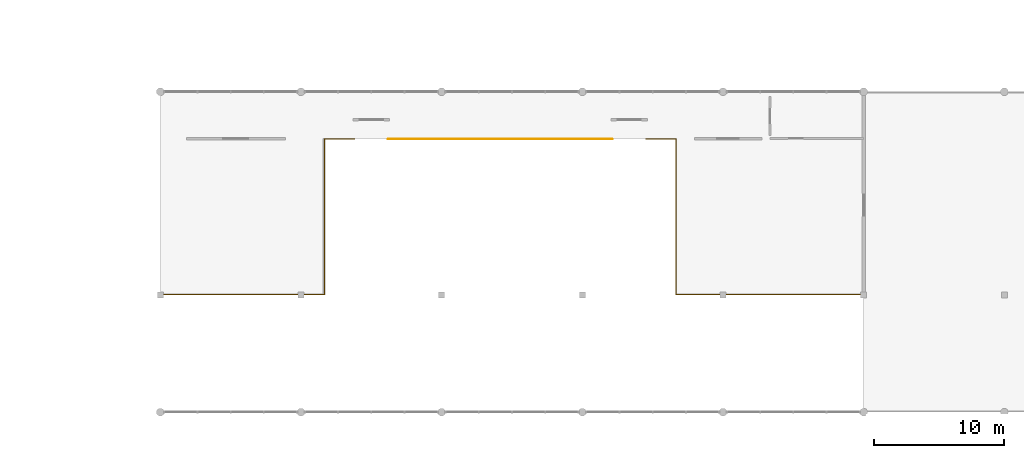
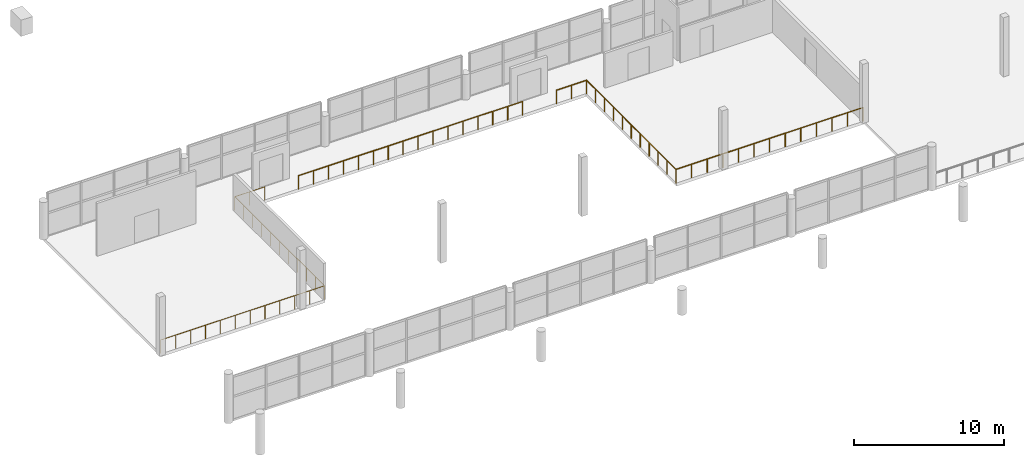
# One storey, part 61 of 74: 3 railings.
"""IFC4 building model written with IfcOpenShell, lengths in metres."""

import ifcopenshell
import ifcopenshell.guid

model = None  # the IFC model being written
_history = None  # IfcOwnerHistory: only IFC2X3 demands one
_inside = {}  # id of a spatial element -> (the spatial element, [elements in it])
_under = {}  # id of a project, library or spatial element -> (it, [spatial elements below it])
_declared = {}  # id of a project -> (the project, [libraries it declares])
_typed = {}  # id of a type object -> (the type object, [elements of that type])
_made_of = {}  # id of a material, layer set ... -> (it, [elements and type objects made of it])


def new_model(schema):
    """Start an empty IFC model of exactly this schema.

    Asked for "IFC4X3", IfcOpenShell would pick the latest addendum, in which some entities
    have other attributes; the version numbers below select the first issue.
    IFC2X3 requires an IfcOwnerHistory on every rooted entity: one is made here for all.
    """
    global model, _history
    if schema == "IFC4X3":
        model = ifcopenshell.file(schema_version=(4, 3, 0, 0))
    else:
        model = ifcopenshell.file(schema=schema)
    _inside.clear()
    _under.clear()
    _declared.clear()
    _typed.clear()
    _made_of.clear()
    _history = None
    if model.schema == "IFC2X3":
        org = make("IfcOrganization", Name="unknown")
        user = make(
            "IfcPersonAndOrganization",
            ThePerson=make("IfcPerson", FamilyName="unknown"),
            TheOrganization=org,
        )
        app = make(
            "IfcApplication",
            ApplicationDeveloper=org,
            Version="unknown",
            ApplicationFullName="unknown",
            ApplicationIdentifier="unknown",
        )
        _history = make(
            "IfcOwnerHistory",
            OwningUser=user,
            OwningApplication=app,
            ChangeAction="ADDED",
            CreationDate=0,
        )
    return model


def make(cls, **values):
    """One entity of the class cls with the attributes given. An attribute that is None is left unset."""
    return model.create_entity(
        cls, **{name: value for name, value in values.items() if value is not None}
    )


def rooted(cls, **values):
    """An entity with a GlobalId (a new one), such as an element, a storey or a relation."""
    return make(cls, GlobalId=ifcopenshell.guid.new(), OwnerHistory=_history, **values)


def si_unit(unit_type, name, prefix=None):
    """IfcSIUnit, for example si_unit("LENGTHUNIT", "METRE", prefix="MILLI")."""
    return make("IfcSIUnit", UnitType=unit_type, Prefix=prefix, Name=name)


def assignment(units):
    """IfcUnitAssignment: the units of a project."""
    return None if units is None else make("IfcUnitAssignment", Units=units)


def point(xyz):
    """IfcCartesianPoint."""
    return None if xyz is None else make("IfcCartesianPoint", Coordinates=xyz)


def direction(xyz):
    """IfcDirection."""
    return None if xyz is None else make("IfcDirection", DirectionRatios=xyz)


def frame(location, z_axis=None, x_axis=None):
    """IfcAxis2Placement3D, a coordinate frame: its origin and axes. An axis left out is left unset."""
    return make(
        "IfcAxis2Placement3D",
        Location=point(location),
        Axis=direction(z_axis),
        RefDirection=direction(x_axis),
    )


def frame_2d(location, x_axis=None):
    """IfcAxis2Placement2D, a coordinate frame in the plane: its origin and x axis."""
    return make(
        "IfcAxis2Placement2D", Location=point(location), RefDirection=direction(x_axis)
    )


def origin():
    """The frame at (0, 0, 0) with its axes left unset."""
    return frame((0.0, 0.0, 0.0))


def origin_2d():
    """The frame at (0, 0) in the plane with its x axis left unset."""
    return frame_2d((0.0, 0.0))


def place(relative_to, where):
    """IfcLocalPlacement: puts the frame where relative to a parent placement (None: the world)."""
    return make(
        "IfcLocalPlacement", PlacementRelTo=relative_to, RelativePlacement=where
    )


def context(
    kind, dimensions, precision=None, world=None, true_north=None, identifier=None
):
    """IfcGeometricRepresentationContext, for example the 3D "Model" context."""
    return make(
        "IfcGeometricRepresentationContext",
        ContextIdentifier=identifier,
        ContextType=kind,
        CoordinateSpaceDimension=dimensions,
        Precision=precision,
        WorldCoordinateSystem=world,
        TrueNorth=true_north,
    )


def subcontext(parent, identifier, kind, view, scale=None):
    """IfcGeometricRepresentationSubContext, for example "Body" below "Model"."""
    return make(
        "IfcGeometricRepresentationSubContext",
        ContextIdentifier=identifier,
        ContextType=kind,
        ParentContext=parent,
        TargetScale=scale,
        TargetView=view,
    )


def project(units=None, contexts=None):
    """IfcProject with its units and contexts."""
    return rooted(
        "IfcProject",
        Name="project",
        RepresentationContexts=contexts,
        UnitsInContext=assignment(units),
    )


def spatial(cls, under=None, at=None, **own):
    """A site, building, storey or space (cls), placed at a placement, below another one or the project."""
    s = rooted(cls, ObjectPlacement=at, **own)
    if under is not None:
        _under.setdefault(under.id(), (under, []))[1].append(s)
    return s


def profile(cls, at=None, kind="AREA", **sizes):
    """A parametric profile (cls). Its sizes go by their IFC names, for example OverallWidth=200.0."""
    return make(cls, ProfileType=kind, Position=at, **sizes)


def circle(**sizes):
    """IfcCircleProfileDef."""
    return profile("IfcCircleProfileDef", **sizes)


def extrude(swept, where, along, depth):
    """IfcExtrudedAreaSolid: the profile swept, set in the frame where, extruded along a direction by depth."""
    return make(
        "IfcExtrudedAreaSolid",
        SweptArea=swept,
        Position=where,
        ExtrudedDirection=direction(along),
        Depth=depth,
    )


def shape(context_of_items, identifier, shape_type, items):
    """IfcShapeRepresentation: the items that make up one representation, for example the "Body"."""
    return make(
        "IfcShapeRepresentation",
        ContextOfItems=context_of_items,
        RepresentationIdentifier=identifier,
        RepresentationType=shape_type,
        Items=items,
    )


def material(Name=None, Category=None):
    """IfcMaterial."""
    return make("IfcMaterial", Name=Name, Category=Category)


def made_of(thing, what):
    """Note that an element or type object is made of a material, layer set ...; save() writes the relation."""
    if what is not None:
        _made_of.setdefault(what.id(), (what, []))[1].append(thing)
    return thing


def type_object(cls, material=None, **own):
    """A type object (cls), such as IfcWallType, which elements share."""
    return made_of(rooted(cls, **own), material)


def element(
    cls,
    number,
    at=None,
    inside=None,
    cuts=None,
    type_object=None,
    material=None,
    context=None,
    identifier="Body",
    shape_type=None,
    held_by="IfcProductDefinitionShape",
    body=None,
    shapes=None,
    **own,
):
    """One element of the class cls, such as IfcWall. Its Tag is "e" and its number.

    at: its placement. inside: the storey or other place that contains it. cuts: it is an
    opening in that element (IfcRelVoidsElement). A single representation is given by context,
    identifier, shape_type and body (its items); several are given by shapes. held_by: the class
    of the entity that holds the representations. save() writes the other relations.
    """
    e = rooted(cls, Tag="e%d" % number, ObjectPlacement=at, **own)
    if body is not None:
        shapes = [shape(context, identifier, shape_type, body)]
    if shapes is not None:
        e.Representation = make(held_by, Representations=shapes)
    if inside is not None:
        _inside.setdefault(inside.id(), (inside, []))[1].append(e)
    if cuts is not None:
        rooted(
            "IfcRelVoidsElement", RelatingBuildingElement=cuts, RelatedOpeningElement=e
        )
    if type_object is not None:
        _typed.setdefault(type_object.id(), (type_object, []))[1].append(e)
    return made_of(e, material)


def aggregate(whole, parts):
    """IfcRelAggregates: a whole, such as a stair, and the parts it consists of."""
    return rooted("IfcRelAggregates", RelatingObject=whole, RelatedObjects=parts)


def save(model, path):
    """Write the relations noted so far, then the file.

    IfcRelAggregates (storeys below a building ...), IfcRelContainedInSpatialStructure (elements
    in a storey), IfcRelDefinesByType, IfcRelAssociatesMaterial and IfcRelDeclares: one each for
    every whole, place, type object, material and project.
    """
    for whole, parts in _under.values():
        aggregate(whole, parts)
    for where, things in _inside.values():
        rooted(
            "IfcRelContainedInSpatialStructure",
            RelatedElements=things,
            RelatingStructure=where,
        )
    for kind, things in _typed.values():
        rooted("IfcRelDefinesByType", RelatedObjects=things, RelatingType=kind)
    for what, things in _made_of.values():
        rooted("IfcRelAssociatesMaterial", RelatedObjects=things, RelatingMaterial=what)
    for by, libraries in _declared.values():
        rooted("IfcRelDeclares", RelatingContext=by, RelatedDefinitions=libraries)
    model.write(path)


model = new_model("IFC4")

# Units and contexts
model_context = context("Model", 3, precision=1e-05, world=origin(), true_north=direction((0.0, 1.0)))
body_context = subcontext(model_context, "Body", "Model", "MODEL_VIEW")
ifc_project = project(units=[si_unit("LENGTHUNIT", "METRE"), si_unit("AREAUNIT", "SQUARE_METRE"), si_unit("VOLUMEUNIT", "CUBIC_METRE"), si_unit("PLANEANGLEUNIT", "RADIAN"), si_unit("MASSUNIT", "GRAM", prefix="KILO")], contexts=[model_context])

# Site, building, storey
site_placement = place(None, origin())
site = spatial("IfcSite", under=ifc_project, at=site_placement, CompositionType="ELEMENT")
building_placement = place(site_placement, origin())
building = spatial("IfcBuilding", under=site, at=building_placement, Name="Suirenkawa Promenade Aquatics Centre", CompositionType="ELEMENT")
storey_placement = place(building_placement, frame((0.0, 0.0, 4.800048828125)))
storey = spatial("IfcBuildingStorey", under=building, at=storey_placement, Name="L01", CompositionType="ELEMENT", Elevation=4.800048828125)

# Railings
ifc_material = material(Name="Marine-grade stainless steel Grade 316L", Category="steel")
railing_type = type_object("IfcRailingType", Name="RLT-BALUSTRADE-1120", PredefinedType="BALUSTRADE", material=ifc_material)
railing_1_placement = place(storey_placement, frame((79.239990234375, 13.239990234375, 0.0)))
element("IfcRailing", 1, at=railing_1_placement, inside=storey, type_object=railing_type, Name="Balustrade BAL-01 RL-0437", PredefinedType="BALUSTRADE", context=body_context, shape_type="SweptSolid", body=[
    extrude(circle(Radius=0.02392578125, at=origin_2d()), frame((0.0, 0.0, 1.09619140625), z_axis=(1.0, 0.0, 0.0), x_axis=(0.0, 1.0, 0.0)), (0.0, 0.0, 1.0), 12.56005859375),
    extrude(circle(Radius=0.02392578125, at=origin_2d()), frame((12.56005859375, 0.0, 1.09619140625), z_axis=(0.0, 1.0, 0.0), x_axis=(-1.0, 0.0, 0.0)), (0.0, 0.0, 1.0), 11.919921875),
    extrude(circle(Radius=0.02392578125, at=origin_2d()), frame((12.56005859375, 11.919921875, 1.09619140625), z_axis=(1.0, 0.0, 0.0), x_axis=(0.0, 1.0, 0.0)), (0.0, 0.0, 1.0), 2.300048828125),
    extrude(circle(Radius=0.02099609375, at=origin_2d()), origin(), (0.0, 0.0, 1.0), 1.072021484375),
    extrude(circle(Radius=0.02099609375, at=origin_2d()), frame((1.141845703125, 0.0, 0.0)), (0.0, 0.0, 1.0), 1.072021484375),
    extrude(circle(Radius=0.02099609375, at=origin_2d()), frame((2.28369140625, 0.0, 0.0)), (0.0, 0.0, 1.0), 1.072021484375),
    extrude(circle(Radius=0.02099609375, at=origin_2d()), frame((3.425537109375, 0.0, 0.0)), (0.0, 0.0, 1.0), 1.072021484375),
    extrude(circle(Radius=0.02099609375, at=origin_2d()), frame((4.5673828125, 0.0, 0.0)), (0.0, 0.0, 1.0), 1.072021484375),
    extrude(circle(Radius=0.02099609375, at=origin_2d()), frame((5.709228515625, 0.0, 0.0)), (0.0, 0.0, 1.0), 1.072021484375),
    extrude(circle(Radius=0.02099609375, at=origin_2d()), frame((6.850830078125, 0.0, 0.0)), (0.0, 0.0, 1.0), 1.072021484375),
    extrude(circle(Radius=0.02099609375, at=origin_2d()), frame((7.99267578125, 0.0, 0.0)), (0.0, 0.0, 1.0), 1.072021484375),
    extrude(circle(Radius=0.02099609375, at=origin_2d()), frame((9.134521484375, 0.0, 0.0)), (0.0, 0.0, 1.0), 1.072021484375),
    extrude(circle(Radius=0.02099609375, at=origin_2d()), frame((10.2763671875, 0.0, 0.0)), (0.0, 0.0, 1.0), 1.072021484375),
    extrude(circle(Radius=0.02099609375, at=origin_2d()), frame((11.418212890625, 0.0, 0.0)), (0.0, 0.0, 1.0), 1.072021484375),
    extrude(circle(Radius=0.02099609375, at=origin_2d()), frame((12.56005859375, 0.0, 0.0)), (0.0, 0.0, 1.0), 1.072021484375),
    extrude(circle(Radius=0.02099609375, at=origin_2d()), frame((12.56005859375, 1.19189453125, 0.0)), (0.0, 0.0, 1.0), 1.072021484375),
    extrude(circle(Radius=0.02099609375, at=origin_2d()), frame((12.56005859375, 2.384033203125, 0.0)), (0.0, 0.0, 1.0), 1.072021484375),
    extrude(circle(Radius=0.02099609375, at=origin_2d()), frame((12.56005859375, 3.575927734375, 0.0)), (0.0, 0.0, 1.0), 1.072021484375),
    extrude(circle(Radius=0.02099609375, at=origin_2d()), frame((12.56005859375, 4.76806640625, 0.0)), (0.0, 0.0, 1.0), 1.072021484375),
    extrude(circle(Radius=0.02099609375, at=origin_2d()), frame((12.56005859375, 5.9599609375, 0.0)), (0.0, 0.0, 1.0), 1.072021484375),
    extrude(circle(Radius=0.02099609375, at=origin_2d()), frame((12.56005859375, 7.15185546875, 0.0)), (0.0, 0.0, 1.0), 1.072021484375),
    extrude(circle(Radius=0.02099609375, at=origin_2d()), frame((12.56005859375, 8.343994140625, 0.0)), (0.0, 0.0, 1.0), 1.072021484375),
    extrude(circle(Radius=0.02099609375, at=origin_2d()), frame((12.56005859375, 9.535888671875, 0.0)), (0.0, 0.0, 1.0), 1.072021484375),
    extrude(circle(Radius=0.02099609375, at=origin_2d()), frame((12.56005859375, 10.72802734375, 0.0)), (0.0, 0.0, 1.0), 1.072021484375),
    extrude(circle(Radius=0.02099609375, at=origin_2d()), frame((12.56005859375, 11.919921875, 0.0)), (0.0, 0.0, 1.0), 1.072021484375),
    extrude(circle(Radius=0.02099609375, at=origin_2d()), frame((13.7099609375, 11.919921875, 0.0)), (0.0, 0.0, 1.0), 1.072021484375),
    extrude(circle(Radius=0.02099609375, at=origin_2d()), frame((14.860107421875, 11.919921875, 0.0)), (0.0, 0.0, 1.0), 1.072021484375),
])
railing_2_placement = place(storey_placement, frame((96.699951171875, 25.159912109375, 0.0)))
element("IfcRailing", 2, at=railing_2_placement, inside=storey, type_object=railing_type, Name="Balustrade BAL-01 RL-0438", PredefinedType="BALUSTRADE", context=body_context, shape_type="SweptSolid", body=[
    extrude(circle(Radius=0.02392578125, at=origin_2d()), frame((0.0, 0.0, 1.09619140625), z_axis=(1.0, 0.0, 0.0), x_axis=(0.0, 1.0, 0.0)), (0.0, 0.0, 1.0), 17.199951171875),
    extrude(circle(Radius=0.02099609375, at=origin_2d()), origin(), (0.0, 0.0, 1.0), 1.072021484375),
    extrude(circle(Radius=0.02099609375, at=origin_2d()), frame((1.146728515625, 0.0, 0.0)), (0.0, 0.0, 1.0), 1.072021484375),
    extrude(circle(Radius=0.02099609375, at=origin_2d()), frame((2.293212890625, 0.0, 0.0)), (0.0, 0.0, 1.0), 1.072021484375),
    extrude(circle(Radius=0.02099609375, at=origin_2d()), frame((3.43994140625, 0.0, 0.0)), (0.0, 0.0, 1.0), 1.072021484375),
    extrude(circle(Radius=0.02099609375, at=origin_2d()), frame((4.586669921875, 0.0, 0.0)), (0.0, 0.0, 1.0), 1.072021484375),
    extrude(circle(Radius=0.02099609375, at=origin_2d()), frame((5.7333984375, 0.0, 0.0)), (0.0, 0.0, 1.0), 1.072021484375),
    extrude(circle(Radius=0.02099609375, at=origin_2d()), frame((6.8798828125, 0.0, 0.0)), (0.0, 0.0, 1.0), 1.072021484375),
    extrude(circle(Radius=0.02099609375, at=origin_2d()), frame((8.026611328125, 0.0, 0.0)), (0.0, 0.0, 1.0), 1.072021484375),
    extrude(circle(Radius=0.02099609375, at=origin_2d()), frame((9.17333984375, 0.0, 0.0)), (0.0, 0.0, 1.0), 1.072021484375),
    extrude(circle(Radius=0.02099609375, at=origin_2d()), frame((10.320068359375, 0.0, 0.0)), (0.0, 0.0, 1.0), 1.072021484375),
    extrude(circle(Radius=0.02099609375, at=origin_2d()), frame((11.466552734375, 0.0, 0.0)), (0.0, 0.0, 1.0), 1.072021484375),
    extrude(circle(Radius=0.02099609375, at=origin_2d()), frame((12.61328125, 0.0, 0.0)), (0.0, 0.0, 1.0), 1.072021484375),
    extrude(circle(Radius=0.02099609375, at=origin_2d()), frame((13.760009765625, 0.0, 0.0)), (0.0, 0.0, 1.0), 1.072021484375),
    extrude(circle(Radius=0.02099609375, at=origin_2d()), frame((14.90673828125, 0.0, 0.0)), (0.0, 0.0, 1.0), 1.072021484375),
    extrude(circle(Radius=0.02099609375, at=origin_2d()), frame((16.05322265625, 0.0, 0.0)), (0.0, 0.0, 1.0), 1.072021484375),
    extrude(circle(Radius=0.02099609375, at=origin_2d()), frame((17.199951171875, 0.0, 0.0)), (0.0, 0.0, 1.0), 1.072021484375),
])
railing_3_placement = place(storey_placement, frame((116.5, 25.159912109375, 0.0)))
element("IfcRailing", 3, at=railing_3_placement, inside=storey, type_object=railing_type, Name="Balustrade BAL-01 RL-0439", PredefinedType="BALUSTRADE", context=body_context, shape_type="SweptSolid", body=[
    extrude(circle(Radius=0.02392578125, at=origin_2d()), frame((0.0, 0.0, 1.09619140625), z_axis=(1.0, 0.0, 0.0), x_axis=(0.0, 1.0, 0.0)), (0.0, 0.0, 1.0), 2.300048828125),
    extrude(circle(Radius=0.02392578125, at=origin_2d()), frame((2.300048828125, 0.0, 1.09619140625), z_axis=(0.0, -1.0, 0.0), x_axis=(1.0, 0.0, 0.0)), (0.0, 0.0, 1.0), 11.919921875),
    extrude(circle(Radius=0.02392578125, at=origin_2d()), frame((2.300048828125, -11.919921875, 1.09619140625), z_axis=(1.0, 0.0, 0.0), x_axis=(0.0, 1.0, 0.0)), (0.0, 0.0, 1.0), 14.35986328125),
    extrude(circle(Radius=0.02099609375, at=origin_2d()), origin(), (0.0, 0.0, 1.0), 1.072021484375),
    extrude(circle(Radius=0.02099609375, at=origin_2d()), frame((1.14990234375, 0.0, 0.0)), (0.0, 0.0, 1.0), 1.072021484375),
    extrude(circle(Radius=0.02099609375, at=origin_2d()), frame((2.300048828125, 0.0, 0.0)), (0.0, 0.0, 1.0), 1.072021484375),
    extrude(circle(Radius=0.02099609375, at=origin_2d()), frame((2.300048828125, -1.19189453125, 0.0)), (0.0, 0.0, 1.0), 1.072021484375),
    extrude(circle(Radius=0.02099609375, at=origin_2d()), frame((2.300048828125, -2.384033203125, 0.0)), (0.0, 0.0, 1.0), 1.072021484375),
    extrude(circle(Radius=0.02099609375, at=origin_2d()), frame((2.300048828125, -3.575927734375, 0.0)), (0.0, 0.0, 1.0), 1.072021484375),
    extrude(circle(Radius=0.02099609375, at=origin_2d()), frame((2.300048828125, -4.76806640625, 0.0)), (0.0, 0.0, 1.0), 1.072021484375),
    extrude(circle(Radius=0.02099609375, at=origin_2d()), frame((2.300048828125, -5.9599609375, 0.0)), (0.0, 0.0, 1.0), 1.072021484375),
    extrude(circle(Radius=0.02099609375, at=origin_2d()), frame((2.300048828125, -7.15185546875, 0.0)), (0.0, 0.0, 1.0), 1.072021484375),
    extrude(circle(Radius=0.02099609375, at=origin_2d()), frame((2.300048828125, -8.343994140625, 0.0)), (0.0, 0.0, 1.0), 1.072021484375),
    extrude(circle(Radius=0.02099609375, at=origin_2d()), frame((2.300048828125, -9.535888671875, 0.0)), (0.0, 0.0, 1.0), 1.072021484375),
    extrude(circle(Radius=0.02099609375, at=origin_2d()), frame((2.300048828125, -10.72802734375, 0.0)), (0.0, 0.0, 1.0), 1.072021484375),
    extrude(circle(Radius=0.02099609375, at=origin_2d()), frame((2.300048828125, -11.919921875, 0.0)), (0.0, 0.0, 1.0), 1.072021484375),
    extrude(circle(Radius=0.02099609375, at=origin_2d()), frame((3.49658203125, -11.919921875, 0.0)), (0.0, 0.0, 1.0), 1.072021484375),
    extrude(circle(Radius=0.02099609375, at=origin_2d()), frame((4.693359375, -11.919921875, 0.0)), (0.0, 0.0, 1.0), 1.072021484375),
    extrude(circle(Radius=0.02099609375, at=origin_2d()), frame((5.89013671875, -11.919921875, 0.0)), (0.0, 0.0, 1.0), 1.072021484375),
    extrude(circle(Radius=0.02099609375, at=origin_2d()), frame((7.086669921875, -11.919921875, 0.0)), (0.0, 0.0, 1.0), 1.072021484375),
    extrude(circle(Radius=0.02099609375, at=origin_2d()), frame((8.283203125, -11.919921875, 0.0)), (0.0, 0.0, 1.0), 1.072021484375),
    extrude(circle(Radius=0.02099609375, at=origin_2d()), frame((9.47998046875, -11.919921875, 0.0)), (0.0, 0.0, 1.0), 1.072021484375),
    extrude(circle(Radius=0.02099609375, at=origin_2d()), frame((10.6767578125, -11.919921875, 0.0)), (0.0, 0.0, 1.0), 1.072021484375),
    extrude(circle(Radius=0.02099609375, at=origin_2d()), frame((11.873291015625, -11.919921875, 0.0)), (0.0, 0.0, 1.0), 1.072021484375),
    extrude(circle(Radius=0.02099609375, at=origin_2d()), frame((13.06982421875, -11.919921875, 0.0)), (0.0, 0.0, 1.0), 1.072021484375),
    extrude(circle(Radius=0.02099609375, at=origin_2d()), frame((14.2666015625, -11.919921875, 0.0)), (0.0, 0.0, 1.0), 1.072021484375),
    extrude(circle(Radius=0.02099609375, at=origin_2d()), frame((15.46337890625, -11.919921875, 0.0)), (0.0, 0.0, 1.0), 1.072021484375),
    extrude(circle(Radius=0.02099609375, at=origin_2d()), frame((16.659912109375, -11.919921875, 0.0)), (0.0, 0.0, 1.0), 1.072021484375),
])

save(model, "model.ifc")
